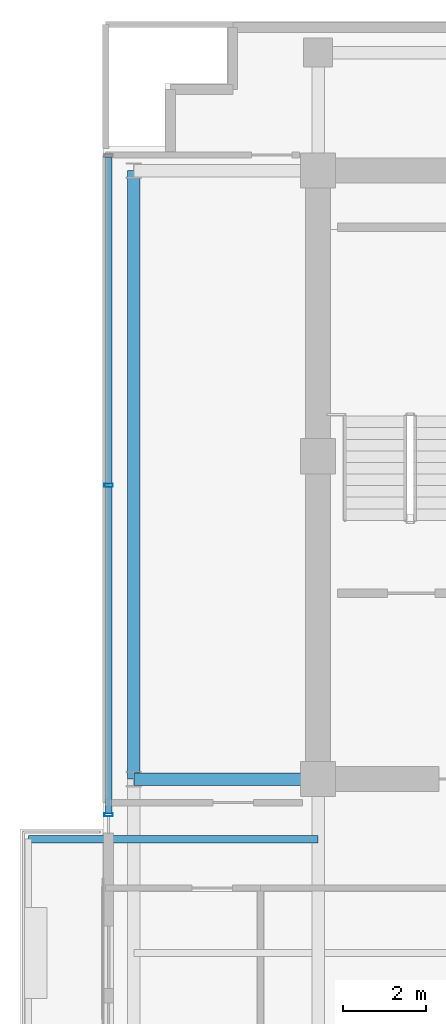
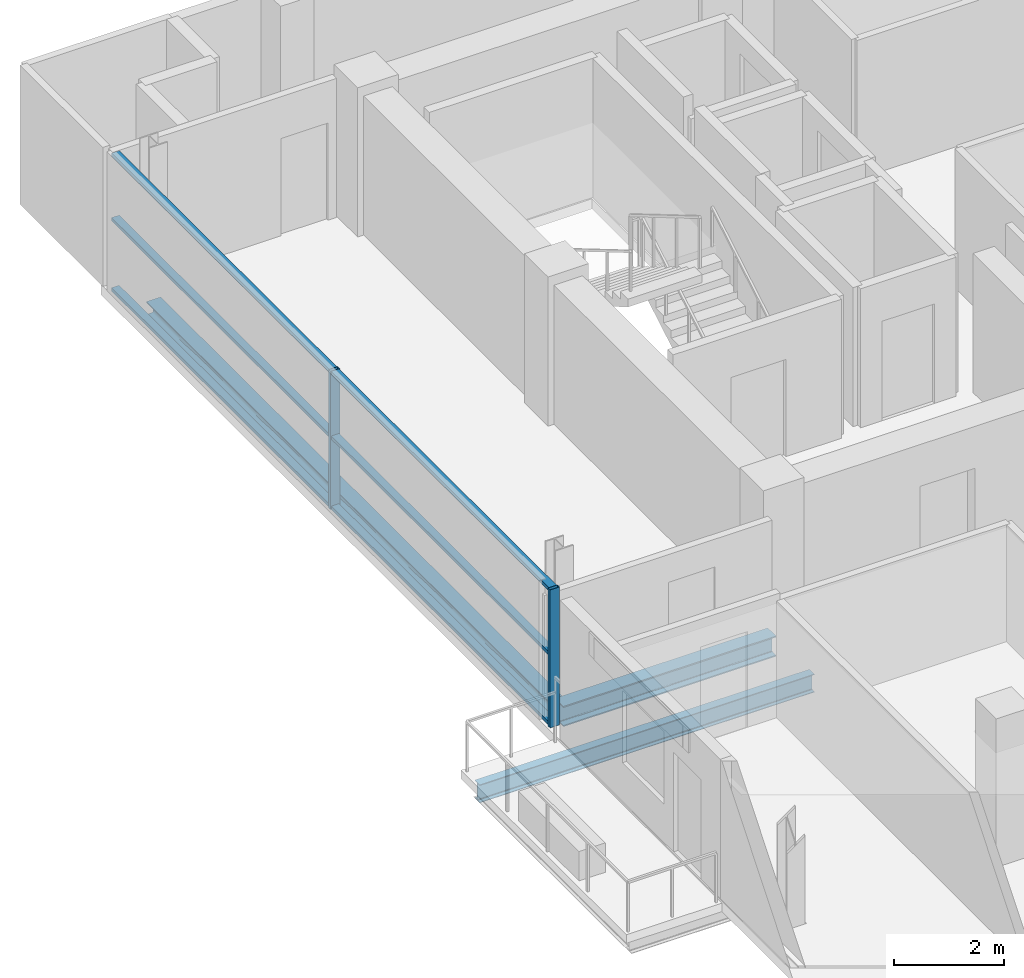
# One storey, part 5 of 24: 8 members, 3 beams, 1 element without a shape of its own.
"""IFC4 building model written with IfcOpenShell, lengths in metres."""

from ifc_helpers import new_model, si_unit, direction, frame, origin, origin_2d, place, context, subcontext, project, spatial, hollow_rectangle, i_section, extrude, source, transform, mapped, material, layer, layer_set, material_profile, profile_set, type_object, element, aggregate, save


model = new_model("IFC4")

# Units and contexts
model_context = context("Model", 3, precision=1e-05, world=origin(), true_north=direction((0.0, 1.0)))
body_context = subcontext(model_context, "Body", "Model", "MODEL_VIEW")
ifc_project = project(units=[si_unit("LENGTHUNIT", "METRE"), si_unit("AREAUNIT", "SQUARE_METRE"), si_unit("VOLUMEUNIT", "CUBIC_METRE"), si_unit("PLANEANGLEUNIT", "RADIAN"), si_unit("MASSUNIT", "GRAM", prefix="KILO")], contexts=[model_context])

# Site, building, storey
site_placement = place(None, origin())
site = spatial("IfcSite", under=ifc_project, at=site_placement, CompositionType="ELEMENT")
building_placement = place(site_placement, origin())
building = spatial("IfcBuilding", under=site, at=building_placement, Name="Zarnakvel Exchange Tower", CompositionType="ELEMENT")
storey_placement = place(building_placement, frame((0.0, 0.0, 235.300048828125)))
storey = spatial("IfcBuildingStorey", under=building, at=storey_placement, Name="L66", CompositionType="ELEMENT", Elevation=235.300048828125)

# Beams
ifc_material_1 = material(Name="Steel S355", Category="steel")
ifc_material_profile_1 = material_profile(ifc_material_1, i_section(OverallWidth=0.179931640625, OverallDepth=0.39990234375, WebThickness=0.008544921875, FlangeThickness=0.013427734375, FilletRadius=0.02099609375, at=origin_2d()))
ifc_profile_set_1 = profile_set([ifc_material_profile_1], Name="Steel S355")
beam_type_1 = type_object("IfcBeamType", Name="B-06", PredefinedType="JOIST", material=ifc_profile_set_1)
beam_1_placement = place(storey_placement, frame((-14.39990234375, -2.64990234375, -0.425048828125), z_axis=(-1.0, 0.0, 0.0), x_axis=(0.0, -1.0, 0.0)))
element("IfcBeam", 1, at=beam_1_placement, inside=storey, type_object=beam_type_1, Name="L66 Continuous West Loggia Beam N", PredefinedType="JOIST", context=body_context, shape_type="SweptSolid", body=[
    extrude(i_section(OverallWidth=0.179931640625, OverallDepth=0.39990234375, WebThickness=0.008544921875, FlangeThickness=0.013427734375, FilletRadius=0.02099609375, at=origin_2d()), origin(), (0.0, 0.0, 1.0), 7.0),
])
ifc_material_profile_2 = material_profile(ifc_material_1, i_section(OverallWidth=0.300048828125, OverallDepth=0.449951171875, WebThickness=0.013916015625, FlangeThickness=0.02587890625, FilletRadius=0.027099609375, at=origin_2d()))
ifc_profile_set_2 = profile_set([ifc_material_profile_2], Name="Steel S355")
beam_type_2 = type_object("IfcBeamType", Name="G-07", PredefinedType="BEAM", material=ifc_profile_set_2)
beam_2_placement = place(storey_placement, frame((-18.85009765625, -1.199951171875, -0.449951171875), z_axis=(1.0, 0.0, 0.0), x_axis=(0.0, 1.0, 0.0)))
element("IfcBeam", 2, at=beam_2_placement, inside=storey, type_object=beam_type_2, Name="L66 Tower E-W Frame Beam", PredefinedType="BEAM", context=body_context, shape_type="SweptSolid", body=[
    extrude(i_section(OverallWidth=0.300048828125, OverallDepth=0.449951171875, WebThickness=0.013916015625, FlangeThickness=0.02587890625, FilletRadius=0.027099609375, at=origin_2d()), origin(), (0.0, 0.0, 1.0), 4.4501953125),
])
ifc_material_profile_3 = material_profile(ifc_material_1, i_section(OverallWidth=0.300048828125, OverallDepth=0.300048828125, WebThickness=0.010986328125, FlangeThickness=0.01904296875, FilletRadius=0.027099609375, at=origin_2d()))
ifc_profile_set_3 = profile_set([ifc_material_profile_3], Name="Steel S355")
beam_type_3 = type_object("IfcBeamType", Name="SP-03", PredefinedType="SPANDREL", material=ifc_profile_set_3)
beam_3_placement = place(storey_placement, frame((-18.85009765625, -1.199951171875, -0.375), z_axis=(0.0, 1.0, 0.0), x_axis=(-1.0, 0.0, 0.0)))
element("IfcBeam", 3, at=beam_3_placement, inside=storey, type_object=beam_type_3, Name="L66 Tower N-S Frame Beam", PredefinedType="SPANDREL", context=body_context, shape_type="SweptSolid", body=[
    extrude(i_section(OverallWidth=0.300048828125, OverallDepth=0.300048828125, WebThickness=0.010986328125, FlangeThickness=0.01904296875, FilletRadius=0.027099609375, at=origin_2d()), origin(), (0.0, 0.0, 1.0), 14.699951171875),
])

# Curtain wall, members
ifc_material_2 = material(Name="Architectural Bronze Anodised Aluminium", Category="aluminium")
ifc_layer = layer(ifc_material_2, 0.199951171875)
ifc_layer_set = layer_set([ifc_layer], Name="Architectural Bronze Anodised Aluminium")
curtain_wall_type = type_object("IfcCurtainWallType", Name="CW-04", PredefinedType="NOTDEFINED", material=ifc_layer_set)
curtain_wall_placement = place(storey_placement, origin())
curtain_wall = element("IfcCurtainWall", 4, at=curtain_wall_placement, inside=storey, type_object=curtain_wall_type, Name="L66 Curtain Wall CW-L66-WN (CW-04)", PredefinedType="NOTDEFINED")
ifc_material_profile_4 = material_profile(ifc_material_2, hollow_rectangle(XDim=0.199951171875, YDim=0.074951171875, WallThickness=0.0048828125, at=origin_2d()))
ifc_profile_set_4 = profile_set([ifc_material_profile_4], Name="Architectural Bronze Anodised Aluminium")
member_type_1 = type_object("IfcMemberType", Name="CWM-04", PredefinedType="MULLION", material=ifc_profile_set_4)
shared_shape_1 = source(origin(), body_context, "Body", "SweptSolid", [
    extrude(hollow_rectangle(XDim=0.199951171875, YDim=0.074951171875, WallThickness=0.0048828125, at=origin_2d()), origin(), (0.0, 0.0, 1.0), 3.054931640625),
])
member_1_placement = place(storey_placement, frame((-19.4599609375, -2.0625, 0.0), z_axis=(0.0, 0.0, 1.0), x_axis=(-1.0, 0.0, 0.0)))
member_1 = element("IfcMember", 5, at=member_1_placement, type_object=member_type_1, Name="CW-04 mullion 1", PredefinedType="MULLION", context=body_context, shape_type="MappedRepresentation", body=[
    mapped(shared_shape_1, transform((0.0, 0.0, 0.0), x_axis=(1.0, 0.0, 0.0), y_axis=(0.0, 1.0, 0.0), z_axis=(0.0, 0.0, 1.0), scale=1.0)),
])
member_2_placement = place(storey_placement, frame((-19.4599609375, 5.89990234375, 0.0), z_axis=(0.0, 0.0, 1.0), x_axis=(-1.0, 0.0, 0.0)))
member_2 = element("IfcMember", 6, at=member_2_placement, type_object=member_type_1, Name="CW-04 mullion 2", PredefinedType="MULLION", context=body_context, shape_type="MappedRepresentation", body=[
    mapped(shared_shape_1, transform((0.0, 0.0, 0.0), x_axis=(1.0, 0.0, 0.0), y_axis=(0.0, 1.0, 0.0), z_axis=(0.0, 0.0, 1.0), scale=1.0)),
])
ifc_material_profile_5 = material_profile(ifc_material_2, hollow_rectangle(XDim=0.159912109375, YDim=0.074951171875, WallThickness=0.00390625, at=origin_2d()))
ifc_profile_set_5 = profile_set([ifc_material_profile_5], Name="Architectural Bronze Anodised Aluminium")
member_type_2 = type_object("IfcMemberType", Name="CWT-04", PredefinedType="USERDEFINED", material=ifc_profile_set_5)
shared_shape_2 = source(origin(), body_context, "Body", "SweptSolid", [
    extrude(hollow_rectangle(XDim=0.159912109375, YDim=0.074951171875, WallThickness=0.00390625, at=origin_2d()), origin(), (0.0, 0.0, 1.0), 7.887451171875),
])
member_3_placement = place(storey_placement, frame((-19.4599609375, -2.02490234375, 0.037353515625), z_axis=(0.0, 1.0, 0.0), x_axis=(-1.0, 0.0, 0.0)))
member_3 = element("IfcMember", 7, at=member_3_placement, type_object=member_type_2, Name="CW-04 transom 1.1", ObjectType="TRANSOM", PredefinedType="USERDEFINED", context=body_context, shape_type="MappedRepresentation", body=[
    mapped(shared_shape_2, transform((0.0, 0.0, 0.0), x_axis=(1.0, 0.0, 0.0), y_axis=(0.0, 1.0, 0.0), z_axis=(0.0, 0.0, 1.0), scale=1.0)),
])
member_4_placement = place(storey_placement, frame((-19.4599609375, -2.02490234375, 1.588623046875), z_axis=(0.0, 1.0, 0.0), x_axis=(-1.0, 0.0, 0.0)))
member_4 = element("IfcMember", 8, at=member_4_placement, type_object=member_type_2, Name="CW-04 transom 1.2", ObjectType="TRANSOM", PredefinedType="USERDEFINED", context=body_context, shape_type="MappedRepresentation", body=[
    mapped(shared_shape_2, transform((0.0, 0.0, 0.0), x_axis=(1.0, 0.0, 0.0), y_axis=(0.0, 1.0, 0.0), z_axis=(0.0, 0.0, 1.0), scale=1.0)),
])
member_5_placement = place(storey_placement, frame((-19.4599609375, -2.02490234375, 3.017333984375), z_axis=(0.0, 1.0, 0.0), x_axis=(-1.0, 0.0, 0.0)))
member_5 = element("IfcMember", 9, at=member_5_placement, type_object=member_type_2, Name="CW-04 transom 1.3", ObjectType="TRANSOM", PredefinedType="USERDEFINED", context=body_context, shape_type="MappedRepresentation", body=[
    mapped(shared_shape_2, transform((0.0, 0.0, 0.0), x_axis=(1.0, 0.0, 0.0), y_axis=(0.0, 1.0, 0.0), z_axis=(0.0, 0.0, 1.0), scale=1.0)),
])
member_6_placement = place(storey_placement, frame((-19.4599609375, 5.9375, 0.037353515625), z_axis=(0.0, 1.0, 0.0), x_axis=(-1.0, 0.0, 0.0)))
member_6 = element("IfcMember", 10, at=member_6_placement, type_object=member_type_2, Name="CW-04 transom 2.1", ObjectType="TRANSOM", PredefinedType="USERDEFINED", context=body_context, shape_type="MappedRepresentation", body=[
    mapped(shared_shape_2, transform((0.0, 0.0, 0.0), x_axis=(1.0, 0.0, 0.0), y_axis=(0.0, 1.0, 0.0), z_axis=(0.0, 0.0, 1.0), scale=1.0)),
])
member_7_placement = place(storey_placement, frame((-19.4599609375, 5.9375, 1.588623046875), z_axis=(0.0, 1.0, 0.0), x_axis=(-1.0, 0.0, 0.0)))
member_7 = element("IfcMember", 11, at=member_7_placement, type_object=member_type_2, Name="CW-04 transom 2.2", ObjectType="TRANSOM", PredefinedType="USERDEFINED", context=body_context, shape_type="MappedRepresentation", body=[
    mapped(shared_shape_2, transform((0.0, 0.0, 0.0), x_axis=(1.0, 0.0, 0.0), y_axis=(0.0, 1.0, 0.0), z_axis=(0.0, 0.0, 1.0), scale=1.0)),
])
member_8_placement = place(storey_placement, frame((-19.4599609375, 5.9375, 3.017333984375), z_axis=(0.0, 1.0, 0.0), x_axis=(-1.0, 0.0, 0.0)))
member_8 = element("IfcMember", 12, at=member_8_placement, type_object=member_type_2, Name="CW-04 transom 2.3", ObjectType="TRANSOM", PredefinedType="USERDEFINED", context=body_context, shape_type="MappedRepresentation", body=[
    mapped(shared_shape_2, transform((0.0, 0.0, 0.0), x_axis=(1.0, 0.0, 0.0), y_axis=(0.0, 1.0, 0.0), z_axis=(0.0, 0.0, 1.0), scale=1.0)),
])
aggregate(curtain_wall, [member_1, member_2, member_3, member_4, member_5, member_6, member_7, member_8])

save(model, "model.ifc")
